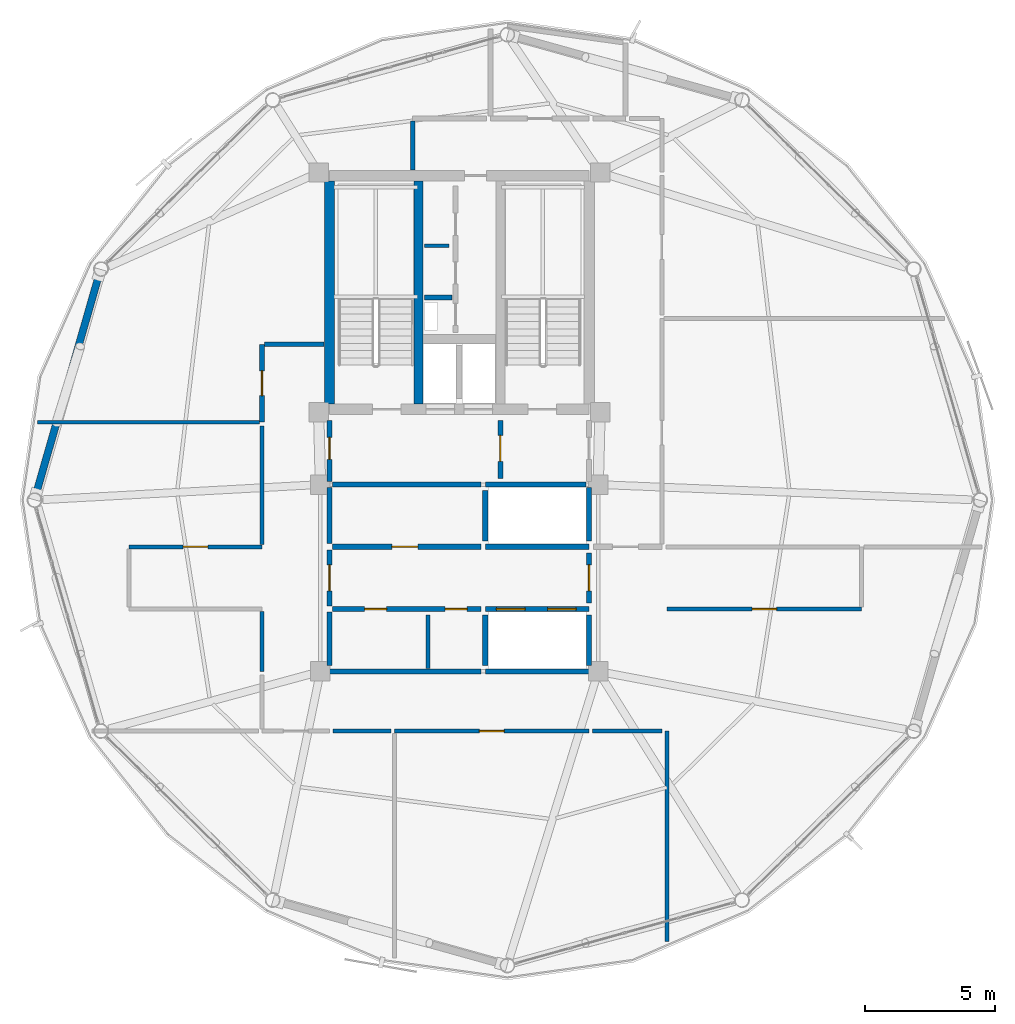
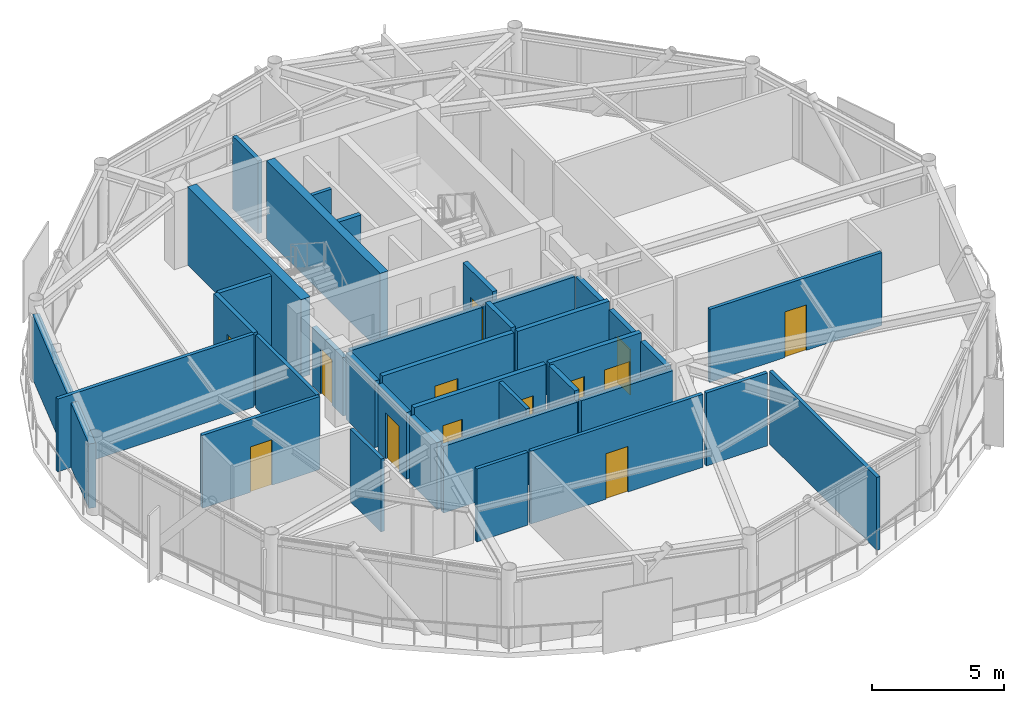
# One storey, part 21 of 27: 36 walls, 13 doors, 13 openings.
"""IFC4 building model written with IfcOpenShell, lengths in metres."""

from ifc_helpers import new_model, si_unit, direction, frame, frame_2d, origin, place, context, subcontext, project, spatial, rectangle, extrude, material, layer, layer_set, type_object, element, fill, save


model = new_model("IFC4")

# Units and contexts
model_context = context("Model", 3, precision=1e-05, world=origin(), true_north=direction((0.0, 1.0)))
body_context = subcontext(model_context, "Body", "Model", "MODEL_VIEW")
ifc_project = project(units=[si_unit("LENGTHUNIT", "METRE"), si_unit("AREAUNIT", "SQUARE_METRE"), si_unit("VOLUMEUNIT", "CUBIC_METRE"), si_unit("PLANEANGLEUNIT", "RADIAN"), si_unit("MASSUNIT", "GRAM", prefix="KILO")], contexts=[model_context])

# Site, building, storey
site_placement = place(None, origin())
site = spatial("IfcSite", under=ifc_project, at=site_placement, CompositionType="ELEMENT")
building_placement = place(site_placement, origin())
building = spatial("IfcBuilding", under=site, at=building_placement, Name="Varnakorn Sky Granary", CompositionType="ELEMENT")
storey_placement = place(building_placement, frame((0.0, 0.0, 263.39990234375)))
storey = spatial("IfcBuildingStorey", under=building, at=storey_placement, Name="L67", CompositionType="ELEMENT", Elevation=263.39990234375)

# Walls
ifc_material_1 = material(Name="Concrete C50/60", Category="concrete")
ifc_layer_1 = layer(ifc_material_1, 0.35009765625, Name="Concrete C50/60")
ifc_layer_set_1 = layer_set([ifc_layer_1], Name="Concrete C50/60")
wall_type_1 = type_object("IfcWallType", Name="WT-CW-INT-350", PredefinedType="SHEAR", material=ifc_layer_set_1)
wall_1_placement = place(storey_placement, frame((1.419921875, 3.7099609375, 0.0), z_axis=(0.0, 0.0, 1.0), x_axis=(0.0, 1.0, 0.0)))
element("IfcWall", 1, at=wall_1_placement, inside=storey, type_object=wall_type_1, Name="Stair ST-1 Core Wall L67", PredefinedType="SHEAR", context=body_context, shape_type="SweptSolid", body=[
    extrude(rectangle(XDim=8.580078125, YDim=0.35009765625, at=frame_2d((4.2900390625, 0.0))), origin(), (0.0, 0.0, 1.0), 3.592041015625),
])
ifc_layer_2 = layer(ifc_material_1, 0.39990234375, Name="Concrete C50/60")
ifc_layer_set_2 = layer_set([ifc_layer_2], Name="Concrete C50/60")
wall_type_2 = type_object("IfcWallType", Name="WT-CW-SHEAR-400", PredefinedType="SHEAR", material=ifc_layer_set_2)
wall_2_placement = place(storey_placement, frame((-2.0, 3.7099609375, 0.0), z_axis=(0.0, 0.0, 1.0), x_axis=(0.0, 1.0, 0.0)))
element("IfcWall", 2, at=wall_2_placement, inside=storey, type_object=wall_type_2, Name="Core West Shear Wall L67", PredefinedType="SHEAR", context=body_context, shape_type="SweptSolid", body=[
    extrude(rectangle(XDim=8.580078125, YDim=0.39990234375, at=frame_2d((4.2900390625, 0.0))), origin(), (0.0, 0.0, 1.0), 3.592041015625),
])
ifc_material_2 = material(Name="Precast concrete C40/50", Category="concrete")
ifc_layer_3 = layer(ifc_material_2, 0.280029296875, Name="Precast concrete C40/50")
ifc_layer_set_3 = layer_set([ifc_layer_3], Name="Precast concrete C40/50")
wall_type_3 = type_object("IfcWallType", Name="WT-EW-CRN-280", PredefinedType="SOLIDWALL", material=ifc_layer_set_3)
wall_3_placement = place(storey_placement, frame((-13.30908203125, 0.225341796875, 0.0), z_axis=(0.0, 0.0, 1.0), x_axis=(0.276231763513, 0.961091053348, 0.0)))
element("IfcWall", 3, at=wall_3_placement, inside=storey, type_object=wall_type_3, Name="Agritech Insulated Precast Facade Wall L67-P06", PredefinedType="SOLIDWALL", context=body_context, shape_type="SweptSolid", body=[
    extrude(rectangle(XDim=8.792236328125, YDim=0.280029296875, at=frame_2d((4.39599609375, 0.0))), origin(), (0.0, 0.0, 1.0), 2.97021484375),
])

# Wall, opening, door
ifc_material_3 = material(Name="Autoclaved Aerated Concrete Blockwork", Category="masonry")
ifc_layer_4 = layer(ifc_material_3, 0.199951171875, Name="Autoclaved Aerated Concrete Blockwork")
ifc_layer_set_4 = layer_set([ifc_layer_4], Name="Autoclaved Aerated Concrete Blockwork")
wall_type_4 = type_object("IfcWallType", Name="WT-FIRE-200", PredefinedType="MOVABLE", material=ifc_layer_set_4)
wall_4_placement = place(storey_placement, frame((4.580078125, 0.830078125, 0.0), z_axis=(0.0, 0.0, 1.0), x_axis=(0.0, 1.0, 0.0)))
wall_4 = element("IfcWall", 4, at=wall_4_placement, inside=storey, type_object=wall_type_4, Name="Interior Partition Wall L67-012", PredefinedType="MOVABLE", context=body_context, shape_type="SweptSolid", body=[
    extrude(rectangle(XDim=2.239990234375, YDim=0.199951171875, at=frame_2d((1.1201171875, 0.0))), origin(), (0.0, 0.0, 1.0), 3.360107421875),
])
opening_1_placement = place(wall_4_placement, frame((0.659912109375, 0.0, 0.0)))
opening_1 = element("IfcOpeningElement", 5, at=opening_1_placement, cuts=wall_4, Name="Opening FD-60", PredefinedType="OPENING", context=body_context, shape_type="SweptSolid", body=[
    extrude(rectangle(XDim=1.0, YDim=2.10009765625, at=frame_2d((0.5, 1.050048828125))), frame((0.0, 0.10986328125, 0.0), z_axis=(0.0, -1.0, 0.0), x_axis=(1.0, 0.0, 0.0)), (0.0, 0.0, 1.0), 0.219970703125),
])
ifc_material_4 = material(Name="Acoustic Timber Fire Leaf", Category="wood")
door_type_1 = type_object("IfcDoorType", Name="DR-FD60-1000", OperationType="NOTDEFINED", PredefinedType="DOOR", material=ifc_material_4)
door_1_placement = place(opening_1_placement, origin())
door_1 = element("IfcDoor", 6, at=door_1_placement, inside=storey, type_object=door_type_1, Name="Interior Door L67-012-1", OperationType="SINGLE_SWING_LEFT", OverallHeight=2.10009765625, OverallWidth=1.0, PredefinedType="DOOR", context=body_context, shape_type="SweptSolid", body=[
    extrude(rectangle(XDim=1.0, YDim=2.10009765625, at=frame_2d((0.5, 1.050048828125))), frame((0.0, 0.02490234375, 0.0), z_axis=(0.0, -1.0, 0.0), x_axis=(1.0, 0.0, 0.0)), (0.0, 0.0, 1.0), 0.050048828125),
])
fill(opening_1, door_1)

wall_5_placement = place(storey_placement, frame((-2.0, 0.719970703125, 0.0), z_axis=(0.0, 0.0, 1.0), x_axis=(0.0, 1.0, 0.0)))
wall_5 = element("IfcWall", 7, at=wall_5_placement, inside=storey, type_object=wall_type_4, Name="Interior Partition Wall L67-013", PredefinedType="MOVABLE", context=body_context, shape_type="SweptSolid", body=[
    extrude(rectangle(XDim=2.35009765625, YDim=0.199951171875, at=frame_2d((1.175048828125, 0.0))), origin(), (0.0, 0.0, 1.0), 2.692138671875),
])
opening_2_placement = place(wall_5_placement, frame((0.844970703125, 0.0, 0.0)))
opening_2 = element("IfcOpeningElement", 8, at=opening_2_placement, cuts=wall_5, Name="Opening FD-60N", PredefinedType="OPENING", context=body_context, shape_type="SweptSolid", body=[
    extrude(rectangle(XDim=0.85009765625, YDim=2.10009765625, at=frame_2d((0.425048828125, 1.050048828125))), frame((0.0, 0.10986328125, 0.0), z_axis=(0.0, -1.0, 0.0), x_axis=(1.0, 0.0, 0.0)), (0.0, 0.0, 1.0), 0.219970703125),
])
door_type_2 = type_object("IfcDoorType", Name="DR-FD60-850", OperationType="NOTDEFINED", PredefinedType="DOOR", material=ifc_material_4)
door_2_placement = place(opening_2_placement, origin())
door_2 = element("IfcDoor", 9, at=door_2_placement, inside=storey, type_object=door_type_2, Name="Interior Door L67-013-1", OperationType="SINGLE_SWING_RIGHT", OverallHeight=2.10009765625, OverallWidth=0.85009765625, PredefinedType="DOOR", context=body_context, shape_type="SweptSolid", body=[
    extrude(rectangle(XDim=0.85009765625, YDim=2.10009765625, at=frame_2d((0.425048828125, 1.050048828125))), frame((0.0, 0.02490234375, 0.0), z_axis=(0.0, -1.0, 0.0), x_axis=(1.0, 0.0, 0.0)), (0.0, 0.0, 1.0), 0.050048828125),
])
fill(opening_2, door_2)

wall_6_placement = place(storey_placement, frame((-2.0, -4.080078125, 0.0), z_axis=(0.0, 0.0, 1.0), x_axis=(0.0, 1.0, 0.0)))
wall_6 = element("IfcWall", 10, at=wall_6_placement, inside=storey, type_object=wall_type_4, Name="Interior Partition Wall L67-015", PredefinedType="MOVABLE", context=body_context, shape_type="SweptSolid", body=[
    extrude(rectangle(XDim=2.16015625, YDim=0.199951171875, at=frame_2d((1.080078125, 0.0))), origin(), (0.0, 0.0, 1.0), 3.072021484375),
])
opening_3_placement = place(wall_6_placement, frame((0.580078125, 0.0, 0.0)))
opening_3 = element("IfcOpeningElement", 11, at=opening_3_placement, cuts=wall_6, Name="Opening FD-60", PredefinedType="OPENING", context=body_context, shape_type="SweptSolid", body=[
    extrude(rectangle(XDim=1.0, YDim=2.10009765625, at=frame_2d((0.5, 1.050048828125))), frame((0.0, 0.10986328125, 0.0), z_axis=(0.0, -1.0, 0.0), x_axis=(1.0, 0.0, 0.0)), (0.0, 0.0, 1.0), 0.219970703125),
])
door_3_placement = place(opening_3_placement, origin())
door_3 = element("IfcDoor", 12, at=door_3_placement, inside=storey, type_object=door_type_1, Name="Interior Door L67-015-1", OperationType="SINGLE_SWING_RIGHT", OverallHeight=2.10009765625, OverallWidth=1.0, PredefinedType="DOOR", context=body_context, shape_type="SweptSolid", body=[
    extrude(rectangle(XDim=1.0, YDim=2.10009765625, at=frame_2d((0.5, 1.050048828125))), frame((0.0, 0.02490234375, 0.0), z_axis=(0.0, -1.0, 0.0), x_axis=(1.0, 0.0, 0.0)), (0.0, 0.0, 1.0), 0.050048828125),
])
fill(opening_3, door_3)

wall_7_placement = place(storey_placement, frame((8.0, -3.969970703125, 0.0), z_axis=(0.0, 0.0, 1.0), x_axis=(0.0, 1.0, 0.0)))
wall_7 = element("IfcWall", 13, at=wall_7_placement, inside=storey, type_object=wall_type_4, Name="Interior Partition Wall L67-016", PredefinedType="MOVABLE", context=body_context, shape_type="SweptSolid", body=[
    extrude(rectangle(XDim=1.93994140625, YDim=0.199951171875, at=frame_2d((0.969970703125, 0.0))), origin(), (0.0, 0.0, 1.0), 3.072021484375),
])
opening_4_placement = place(wall_7_placement, frame((0.469970703125, 0.0, 0.0)))
opening_4 = element("IfcOpeningElement", 14, at=opening_4_placement, cuts=wall_7, Name="Opening FD-60", PredefinedType="OPENING", context=body_context, shape_type="SweptSolid", body=[
    extrude(rectangle(XDim=1.0, YDim=2.10009765625, at=frame_2d((0.5, 1.050048828125))), frame((0.0, 0.10986328125, 0.0), z_axis=(0.0, -1.0, 0.0), x_axis=(1.0, 0.0, 0.0)), (0.0, 0.0, 1.0), 0.219970703125),
])
door_4_placement = place(opening_4_placement, origin())
door_4 = element("IfcDoor", 15, at=door_4_placement, inside=storey, type_object=door_type_1, Name="Interior Door L67-016-1", OperationType="SINGLE_SWING_LEFT", OverallHeight=2.10009765625, OverallWidth=1.0, PredefinedType="DOOR", context=body_context, shape_type="SweptSolid", body=[
    extrude(rectangle(XDim=1.0, YDim=2.10009765625, at=frame_2d((0.5, 1.050048828125))), frame((0.0, 0.02490234375, 0.0), z_axis=(0.0, -1.0, 0.0), x_axis=(1.0, 0.0, 0.0)), (0.0, 0.0, 1.0), 0.050048828125),
])
fill(opening_4, door_4)

wall_8_placement = place(storey_placement, frame((-1.889892578125, -1.800048828125, 0.0), z_axis=(0.0, 0.0, 1.0), x_axis=(1.0, 0.0, 0.0)))
wall_8 = element("IfcWall", 16, at=wall_8_placement, inside=storey, type_object=wall_type_4, Name="Interior Partition Wall L67-017", PredefinedType="MOVABLE", context=body_context, shape_type="SweptSolid", body=[
    extrude(rectangle(XDim=5.72998046875, YDim=0.199951171875, at=frame_2d((2.864990234375, 0.0))), origin(), (0.0, 0.0, 1.0), 3.360107421875),
])
opening_5_placement = place(wall_8_placement, frame((2.2900390625, 0.0, 0.0)))
opening_5 = element("IfcOpeningElement", 17, at=opening_5_placement, cuts=wall_8, Name="Opening FD-60", PredefinedType="OPENING", context=body_context, shape_type="SweptSolid", body=[
    extrude(rectangle(XDim=1.0, YDim=2.10009765625, at=frame_2d((0.5, 1.050048828125))), frame((0.0, 0.10986328125, 0.0), z_axis=(0.0, -1.0, 0.0), x_axis=(1.0, 0.0, 0.0)), (0.0, 0.0, 1.0), 0.219970703125),
])
door_5_placement = place(opening_5_placement, origin())
door_5 = element("IfcDoor", 18, at=door_5_placement, inside=storey, type_object=door_type_1, Name="Interior Door L67-017-1", OperationType="SINGLE_SWING_RIGHT", OverallHeight=2.10009765625, OverallWidth=1.0, PredefinedType="DOOR", context=body_context, shape_type="SweptSolid", body=[
    extrude(rectangle(XDim=1.0, YDim=2.10009765625, at=frame_2d((0.5, 1.050048828125))), frame((0.0, 0.02490234375, 0.0), z_axis=(0.0, -1.0, 0.0), x_axis=(1.0, 0.0, 0.0)), (0.0, 0.0, 1.0), 0.050048828125),
])
fill(opening_5, door_5)

# Wall, openings, doors
wall_9_placement = place(storey_placement, frame((-1.889892578125, -4.199951171875, 0.0), z_axis=(0.0, 0.0, 1.0), x_axis=(1.0, 0.0, 0.0)))
wall_9 = element("IfcWall", 19, at=wall_9_placement, inside=storey, type_object=wall_type_4, Name="Interior Partition Wall L67-018", PredefinedType="MOVABLE", context=body_context, shape_type="SweptSolid", body=[
    extrude(rectangle(XDim=5.72998046875, YDim=0.199951171875, at=frame_2d((2.864990234375, 0.0))), origin(), (0.0, 0.0, 1.0), 3.360107421875),
])
opening_6_placement = place(wall_9_placement, frame((1.239990234375, 0.0, 0.0)))
opening_6 = element("IfcOpeningElement", 20, at=opening_6_placement, cuts=wall_9, Name="Opening FD-60N", PredefinedType="OPENING", context=body_context, shape_type="SweptSolid", body=[
    extrude(rectangle(XDim=0.85009765625, YDim=2.10009765625, at=frame_2d((0.425048828125, 1.050048828125))), frame((0.0, 0.10986328125, 0.0), z_axis=(0.0, -1.0, 0.0), x_axis=(1.0, 0.0, 0.0)), (0.0, 0.0, 1.0), 0.219970703125),
])
opening_7_placement = place(wall_9_placement, frame((4.340087890625, 0.0, 0.0)))
opening_7 = element("IfcOpeningElement", 21, at=opening_7_placement, cuts=wall_9, Name="Opening FD-60N", PredefinedType="OPENING", context=body_context, shape_type="SweptSolid", body=[
    extrude(rectangle(XDim=0.85009765625, YDim=2.10009765625, at=frame_2d((0.425048828125, 1.050048828125))), frame((0.0, 0.10986328125, 0.0), z_axis=(0.0, -1.0, 0.0), x_axis=(1.0, 0.0, 0.0)), (0.0, 0.0, 1.0), 0.219970703125),
])
door_6_placement = place(opening_6_placement, origin())
door_6 = element("IfcDoor", 22, at=door_6_placement, inside=storey, type_object=door_type_2, Name="Interior Door L67-018-1", OperationType="SINGLE_SWING_LEFT", OverallHeight=2.10009765625, OverallWidth=0.85009765625, PredefinedType="DOOR", context=body_context, shape_type="SweptSolid", body=[
    extrude(rectangle(XDim=0.85009765625, YDim=2.10009765625, at=frame_2d((0.425048828125, 1.050048828125))), frame((0.0, 0.02490234375, 0.0), z_axis=(0.0, -1.0, 0.0), x_axis=(1.0, 0.0, 0.0)), (0.0, 0.0, 1.0), 0.050048828125),
])
fill(opening_6, door_6)
door_7_placement = place(opening_7_placement, origin())
door_7 = element("IfcDoor", 23, at=door_7_placement, inside=storey, type_object=door_type_2, Name="Interior Door L67-018-2", OperationType="SINGLE_SWING_RIGHT", OverallHeight=2.10009765625, OverallWidth=0.85009765625, PredefinedType="DOOR", context=body_context, shape_type="SweptSolid", body=[
    extrude(rectangle(XDim=0.85009765625, YDim=2.10009765625, at=frame_2d((0.425048828125, 1.050048828125))), frame((0.0, 0.02490234375, 0.0), z_axis=(0.0, -1.0, 0.0), x_axis=(1.0, 0.0, 0.0)), (0.0, 0.0, 1.0), 0.050048828125),
])
fill(opening_7, door_7)

# Walls
wall_10_placement = place(storey_placement, frame((-1.8798828125, 0.60009765625, 0.0), z_axis=(0.0, 0.0, 1.0), x_axis=(1.0, 0.0, 0.0)))
element("IfcWall", 24, at=wall_10_placement, inside=storey, type_object=wall_type_4, Name="Interior Partition Wall L67-029", PredefinedType="MOVABLE", context=body_context, shape_type="SweptSolid", body=[
    extrude(rectangle(XDim=5.719970703125, YDim=0.199951171875, at=frame_2d((2.85986328125, 0.0))), origin(), (0.0, 0.0, 1.0), 3.072021484375),
])
wall_11_placement = place(storey_placement, frame((-2.0, -1.679931640625, 0.0), z_axis=(0.0, 0.0, 1.0), x_axis=(0.0, 1.0, 0.0)))
element("IfcWall", 25, at=wall_11_placement, inside=storey, type_object=wall_type_4, Name="Interior Partition Wall L67-030", PredefinedType="MOVABLE", context=body_context, shape_type="SweptSolid", body=[
    extrude(rectangle(XDim=2.159912109375, YDim=0.199951171875, at=frame_2d((1.080078125, 0.0))), origin(), (0.0, 0.0, 1.0), 3.072021484375),
])
wall_12_placement = place(storey_placement, frame((-2.0, -6.60009765625, 0.0), z_axis=(0.0, 0.0, 1.0), x_axis=(1.0, 0.0, 0.0)))
element("IfcWall", 26, at=wall_12_placement, inside=storey, type_object=wall_type_4, Name="Interior Partition Wall L67-032", PredefinedType="MOVABLE", context=body_context, shape_type="SweptSolid", body=[
    extrude(rectangle(XDim=5.840087890625, YDim=0.199951171875, at=frame_2d((2.919921875, 0.0))), origin(), (0.0, 0.0, 1.0), 3.072021484375),
])
wall_13_placement = place(storey_placement, frame((-2.0, -6.3701171875, 0.0), z_axis=(0.0, 0.0, 1.0), x_axis=(0.0, 1.0, 0.0)))
element("IfcWall", 27, at=wall_13_placement, inside=storey, type_object=wall_type_4, Name="Interior Partition Wall L67-033", PredefinedType="MOVABLE", context=body_context, shape_type="SweptSolid", body=[
    extrude(rectangle(XDim=2.050048828125, YDim=0.199951171875, at=frame_2d((1.02490234375, 0.0))), origin(), (0.0, 0.0, 1.0), 3.072021484375),
])

# Wall, opening, door
ifc_material_5 = material(Name="Gypsum Plasterboard on Steel Stud", Category="steel")
ifc_layer_5 = layer(ifc_material_5, 0.14990234375, Name="Gypsum Plasterboard on Steel Stud")
ifc_layer_set_5 = layer_set([ifc_layer_5], Name="Gypsum Plasterboard on Steel Stud")
wall_type_5 = type_object("IfcWallType", Name="WT-PART-150", PredefinedType="PARTITIONING", material=ifc_layer_set_5)
wall_14_placement = place(storey_placement, frame((0.5, -8.89990234375, 0.0), z_axis=(0.0, 0.0, 1.0), x_axis=(1.0, 0.0, 0.0)))
wall_14 = element("IfcWall", 28, at=wall_14_placement, inside=storey, type_object=wall_type_5, Name="Interior Partition Wall L67-022", PredefinedType="PARTITIONING", context=body_context, shape_type="SweptSolid", body=[
    extrude(rectangle(XDim=7.5, YDim=0.14990234375, at=frame_2d((3.75, 0.0))), origin(), (0.0, 0.0, 1.0), 3.360107421875),
])
opening_8_placement = place(wall_14_placement, frame((3.27490234375, 0.0, 0.0)))
opening_8 = element("IfcOpeningElement", 29, at=opening_8_placement, cuts=wall_14, Name="Opening ID-95", PredefinedType="OPENING", context=body_context, shape_type="SweptSolid", body=[
    extrude(rectangle(XDim=0.949951171875, YDim=2.10009765625, at=frame_2d((0.47509765625, 1.050048828125))), frame((0.0, 0.0849609375, 0.0), z_axis=(0.0, -1.0, 0.0), x_axis=(1.0, 0.0, 0.0)), (0.0, 0.0, 1.0), 0.169921875),
])
ifc_material_6 = material(Name="Solid-Core Teak Veneer Leaf", Category="timber")
door_type_3 = type_object("IfcDoorType", Name="DR-INT-950", OperationType="NOTDEFINED", PredefinedType="DOOR", material=ifc_material_6)
door_8_placement = place(opening_8_placement, origin())
door_8 = element("IfcDoor", 30, at=door_8_placement, inside=storey, type_object=door_type_3, Name="Interior Door L67-022-1", OperationType="SINGLE_SWING_RIGHT", OverallHeight=2.10009765625, OverallWidth=0.949951171875, PredefinedType="DOOR", context=body_context, shape_type="SweptSolid", body=[
    extrude(rectangle(XDim=0.949951171875, YDim=2.10009765625, at=frame_2d((0.47509765625, 1.050048828125))), frame((0.0, 0.02490234375, 0.0), z_axis=(0.0, -1.0, 0.0), x_axis=(1.0, 0.0, 0.0)), (0.0, 0.0, 1.0), 0.050048828125),
])
fill(opening_8, door_8)

wall_15_placement = place(storey_placement, frame((11.0, -4.199951171875, 0.0), z_axis=(0.0, 0.0, 1.0), x_axis=(1.0, 0.0, 0.0)))
wall_15 = element("IfcWall", 31, at=wall_15_placement, inside=storey, type_object=wall_type_5, Name="Interior Partition Wall L67-023", PredefinedType="PARTITIONING", context=body_context, shape_type="SweptSolid", body=[
    extrude(rectangle(XDim=7.5, YDim=0.14990234375, at=frame_2d((3.75, 0.0))), origin(), (0.0, 0.0, 1.0), 3.360107421875),
])
opening_9_placement = place(wall_15_placement, frame((3.27490234375, 0.0, 0.0)))
opening_9 = element("IfcOpeningElement", 32, at=opening_9_placement, cuts=wall_15, Name="Opening ID-95", PredefinedType="OPENING", context=body_context, shape_type="SweptSolid", body=[
    extrude(rectangle(XDim=0.949951171875, YDim=2.10009765625, at=frame_2d((0.47509765625, 1.050048828125))), frame((0.0, 0.0849609375, 0.0), z_axis=(0.0, -1.0, 0.0), x_axis=(1.0, 0.0, 0.0)), (0.0, 0.0, 1.0), 0.169921875),
])
door_9_placement = place(opening_9_placement, origin())
door_9 = element("IfcDoor", 33, at=door_9_placement, inside=storey, type_object=door_type_3, Name="Interior Door L67-023-1", OperationType="SINGLE_SWING_LEFT", OverallHeight=2.10009765625, OverallWidth=0.949951171875, PredefinedType="DOOR", context=body_context, shape_type="SweptSolid", body=[
    extrude(rectangle(XDim=0.949951171875, YDim=2.10009765625, at=frame_2d((0.47509765625, 1.050048828125))), frame((0.0, 0.02490234375, 0.0), z_axis=(0.0, -1.0, 0.0), x_axis=(1.0, 0.0, 0.0)), (0.0, 0.0, 1.0), 0.050048828125),
])
fill(opening_9, door_9)

wall_16_placement = place(storey_placement, frame((-4.60009765625, -1.800048828125, 0.0), z_axis=(0.0, 0.0, 1.0), x_axis=(-1.0, 0.0, 0.0)))
wall_16 = element("IfcWall", 34, at=wall_16_placement, inside=storey, type_object=wall_type_5, Name="Interior Partition Wall L67-024", PredefinedType="PARTITIONING", context=body_context, shape_type="SweptSolid", body=[
    extrude(rectangle(XDim=5.1240234375, YDim=0.14990234375, at=frame_2d((2.56201171875, 0.0))), origin(), (0.0, 0.0, 1.0), 3.360107421875),
])
opening_10_placement = place(wall_16_placement, frame((2.0869140625, 0.0, 0.0)))
opening_10 = element("IfcOpeningElement", 35, at=opening_10_placement, cuts=wall_16, Name="Opening ID-95", PredefinedType="OPENING", context=body_context, shape_type="SweptSolid", body=[
    extrude(rectangle(XDim=0.949951171875, YDim=2.10009765625, at=frame_2d((0.47509765625, 1.050048828125))), frame((0.0, 0.0849609375, 0.0), z_axis=(0.0, -1.0, 0.0), x_axis=(1.0, 0.0, 0.0)), (0.0, 0.0, 1.0), 0.169921875),
])
door_10_placement = place(opening_10_placement, origin())
door_10 = element("IfcDoor", 36, at=door_10_placement, inside=storey, type_object=door_type_3, Name="Interior Door L67-024-1", OperationType="SINGLE_SWING_RIGHT", OverallHeight=2.10009765625, OverallWidth=0.949951171875, PredefinedType="DOOR", context=body_context, shape_type="SweptSolid", body=[
    extrude(rectangle(XDim=0.949951171875, YDim=2.10009765625, at=frame_2d((0.47509765625, 1.050048828125))), frame((0.0, 0.02490234375, 0.0), z_axis=(0.0, -1.0, 0.0), x_axis=(1.0, 0.0, 0.0)), (0.0, 0.0, 1.0), 0.050048828125),
])
fill(opening_10, door_10)

# Walls
wall_17_placement = place(storey_placement, frame((1.64990234375, 9.800048828125, 0.0), z_axis=(0.0, 0.0, 1.0), x_axis=(1.0, 0.0, 0.0)))
element("IfcWall", 37, at=wall_17_placement, inside=storey, type_object=wall_type_5, Name="Interior Partition Wall L67-028", PredefinedType="PARTITIONING", context=body_context, shape_type="SweptSolid", body=[
    extrude(rectangle(XDim=0.960205078125, YDim=0.14990234375, at=frame_2d((0.47998046875, 0.0))), origin(), (0.0, 0.0, 1.0), 3.360107421875),
])
wall_18_placement = place(storey_placement, frame((1.800048828125, -6.47998046875, 0.0), z_axis=(0.0, 0.0, 1.0), x_axis=(0.0, 1.0, 0.0)))
element("IfcWall", 38, at=wall_18_placement, inside=storey, type_object=wall_type_5, Name="Interior Partition Wall L67-031", PredefinedType="PARTITIONING", context=body_context, shape_type="SweptSolid", body=[
    extrude(rectangle(XDim=2.050048828125, YDim=0.14990234375, at=frame_2d((1.02490234375, 0.0))), origin(), (0.0, 0.0, 1.0), 3.360107421875),
])
wall_19_placement = place(storey_placement, frame((-1.864990234375, -8.89990234375, 0.0), z_axis=(0.0, 0.0, 1.0), x_axis=(1.0, 0.0, 0.0)))
element("IfcWall", 39, at=wall_19_placement, inside=storey, type_object=wall_type_5, Name="Interior Partition Wall L67-035", PredefinedType="PARTITIONING", context=body_context, shape_type="SweptSolid", body=[
    extrude(rectangle(XDim=2.22998046875, YDim=0.14990234375, at=frame_2d((1.114990234375, 0.0))), origin(), (0.0, 0.0, 1.0), 3.360107421875),
])
wall_20_placement = place(storey_placement, frame((8.135009765625, -8.89990234375, 0.0), z_axis=(0.0, 0.0, 1.0), x_axis=(1.0, 0.0, 0.0)))
element("IfcWall", 40, at=wall_20_placement, inside=storey, type_object=wall_type_5, Name="Interior Partition Wall L67-038", PredefinedType="PARTITIONING", context=body_context, shape_type="SweptSolid", body=[
    extrude(rectangle(XDim=2.6650390625, YDim=0.14990234375, at=frame_2d((1.33251953125, 0.0))), origin(), (0.0, 0.0, 1.0), 3.360107421875),
])
wall_21_placement = place(storey_placement, frame((11.0, -8.89990234375, 0.0), z_axis=(0.0, 0.0, 1.0), x_axis=(0.0, -1.0, 0.0)))
element("IfcWall", 41, at=wall_21_placement, inside=storey, type_object=wall_type_5, Name="Interior Partition Wall L67-039", PredefinedType="PARTITIONING", context=body_context, shape_type="SweptSolid", body=[
    extrude(rectangle(XDim=8.09619140625, YDim=0.14990234375, at=frame_2d((4.048095703125, 0.0))), origin(), (0.0, 0.0, 1.0), 3.360107421875),
])
wall_22_placement = place(storey_placement, frame((-4.60009765625, 2.85009765625, 0.0), z_axis=(0.0, 0.0, 1.0), x_axis=(0.0, -1.0, 0.0)))
element("IfcWall", 42, at=wall_22_placement, inside=storey, type_object=wall_type_5, Name="Interior Partition Wall L67-043", PredefinedType="PARTITIONING", context=body_context, shape_type="SweptSolid", body=[
    extrude(rectangle(XDim=4.565185546875, YDim=0.14990234375, at=frame_2d((2.28271484375, 0.0))), origin(), (0.0, 0.0, 1.0), 3.360107421875),
])
wall_23_placement = place(storey_placement, frame((-4.60009765625, -4.284912109375, 0.0), z_axis=(0.0, 0.0, 1.0), x_axis=(0.0, -1.0, 0.0)))
element("IfcWall", 43, at=wall_23_placement, inside=storey, type_object=wall_type_5, Name="Interior Partition Wall L67-045", PredefinedType="PARTITIONING", context=body_context, shape_type="SweptSolid", body=[
    extrude(rectangle(XDim=2.315185546875, YDim=0.14990234375, at=frame_2d((1.15771484375, 0.0))), origin(), (0.0, 0.0, 1.0), 3.360107421875),
])
wall_24_placement = place(storey_placement, frame((-13.25390625, 3.0, 0.0), z_axis=(0.0, 0.0, 1.0), x_axis=(1.0, 0.0, 0.0)))
element("IfcWall", 44, at=wall_24_placement, inside=storey, type_object=wall_type_5, Name="Interior Partition Wall L67-047", PredefinedType="PARTITIONING", context=body_context, shape_type="SweptSolid", body=[
    extrude(rectangle(XDim=8.553955078125, YDim=0.14990234375, at=frame_2d((4.27685546875, 0.0))), origin(), (0.0, 0.0, 1.0), 3.360107421875),
])

# Wall, opening, door
ifc_material_7 = material(Name="Moisture-Resistant Gypsum on Stud", Category="gypsum")
ifc_layer_6 = layer(ifc_material_7, 0.179931640625, Name="Moisture-Resistant Gypsum on Stud")
ifc_layer_set_6 = layer_set([ifc_layer_6], Name="Moisture-Resistant Gypsum on Stud")
wall_type_6 = type_object("IfcWallType", Name="WT-PLUMB-180", PredefinedType="PLUMBINGWALL", material=ifc_layer_set_6)
wall_25_placement = place(storey_placement, frame((-4.60009765625, 6.0, 0.0), z_axis=(0.0, 0.0, 1.0), x_axis=(0.0, -1.0, 0.0)))
wall_25 = element("IfcWall", 45, at=wall_25_placement, inside=storey, type_object=wall_type_6, Name="Interior Partition Wall L67-025", PredefinedType="PLUMBINGWALL", context=body_context, shape_type="SweptSolid", body=[
    extrude(rectangle(XDim=3.0, YDim=0.179931640625, at=frame_2d((1.5, 0.0))), origin(), (0.0, 0.0, 1.0), 3.360107421875),
])
opening_11_placement = place(wall_25_placement, frame((1.02490234375, 0.0, 0.0)))
opening_11 = element("IfcOpeningElement", 46, at=opening_11_placement, cuts=wall_25, Name="Opening ID-95", PredefinedType="OPENING", context=body_context, shape_type="SweptSolid", body=[
    extrude(rectangle(XDim=0.949951171875, YDim=2.10009765625, at=frame_2d((0.47509765625, 1.050048828125))), frame((0.0, 0.10009765625, 0.0), z_axis=(0.0, -1.0, 0.0), x_axis=(1.0, 0.0, 0.0)), (0.0, 0.0, 1.0), 0.199951171875),
])
door_11_placement = place(opening_11_placement, origin())
door_11 = element("IfcDoor", 47, at=door_11_placement, inside=storey, type_object=door_type_3, Name="Interior Door L67-025-1", OperationType="SINGLE_SWING_LEFT", OverallHeight=2.10009765625, OverallWidth=0.949951171875, PredefinedType="DOOR", context=body_context, shape_type="SweptSolid", body=[
    extrude(rectangle(XDim=0.949951171875, YDim=2.10009765625, at=frame_2d((0.47509765625, 1.050048828125))), frame((0.0, 0.02490234375, 0.0), z_axis=(0.0, -1.0, 0.0), x_axis=(1.0, 0.0, 0.0)), (0.0, 0.0, 1.0), 0.050048828125),
])
fill(opening_11, door_11)

# Walls
wall_26_placement = place(storey_placement, frame((-2.2099609375, 6.0, 0.0), z_axis=(0.0, 0.0, 1.0), x_axis=(-1.0, 0.0, 0.0)))
element("IfcWall", 48, at=wall_26_placement, inside=storey, type_object=wall_type_6, Name="Interior Partition Wall L67-048", PredefinedType="PLUMBINGWALL", context=body_context, shape_type="SweptSolid", body=[
    extrude(rectangle(XDim=2.2900390625, YDim=0.179931640625, at=frame_2d((1.14501953125, 0.0))), origin(), (0.0, 0.0, 1.0), 3.360107421875),
])
wall_27_placement = place(storey_placement, frame((1.199951171875, 14.60009765625, 0.0), z_axis=(0.0, 0.0, 1.0), x_axis=(0.0, -1.0, 0.0)))
element("IfcWall", 49, at=wall_27_placement, inside=storey, type_object=wall_type_6, Name="Interior Partition Wall L67-050", PredefinedType="PLUMBINGWALL", context=body_context, shape_type="SweptSolid", body=[
    extrude(rectangle(XDim=1.89013671875, YDim=0.179931640625, at=frame_2d((0.945068359375, 0.0))), origin(), (0.0, 0.0, 1.0), 3.360107421875),
])
ifc_layer_7 = layer(ifc_material_3, 0.199951171875, Name="Autoclaved Aerated Concrete Blockwork")
ifc_layer_set_7 = layer_set([ifc_layer_7], Name="Autoclaved Aerated Concrete Blockwork")
wall_type_7 = type_object("IfcWallType", Name="WT-SHAFT-200", PredefinedType="SOLIDWALL", material=ifc_layer_set_7)
wall_28_placement = place(storey_placement, frame((1.64990234375, 7.800048828125, 0.0), z_axis=(0.0, 0.0, 1.0), x_axis=(1.0, 0.0, 0.0)))
element("IfcWall", 50, at=wall_28_placement, inside=storey, type_object=wall_type_7, Name="Interior Partition Wall L67-002", PredefinedType="SOLIDWALL", context=body_context, shape_type="SweptSolid", body=[
    extrude(rectangle(XDim=1.070068359375, YDim=0.199951171875, at=frame_2d((0.53515625, 0.0))), origin(), (0.0, 0.0, 1.0), 3.360107421875),
])
wall_29_placement = place(storey_placement, frame((4.0, 0.60009765625, 0.0), z_axis=(0.0, 0.0, 1.0), x_axis=(1.0, 0.0, 0.0)))
element("IfcWall", 51, at=wall_29_placement, inside=storey, type_object=wall_type_7, Name="Interior Partition Wall L67-003", PredefinedType="SOLIDWALL", context=body_context, shape_type="SweptSolid", body=[
    extrude(rectangle(XDim=3.8798828125, YDim=0.199951171875, at=frame_2d((1.93994140625, 0.0))), origin(), (0.0, 0.0, 1.0), 3.072021484375),
])
wall_30_placement = place(storey_placement, frame((4.0, -1.800048828125, 0.0), z_axis=(0.0, 0.0, 1.0), x_axis=(1.0, 0.0, 0.0)))
element("IfcWall", 52, at=wall_30_placement, inside=storey, type_object=wall_type_7, Name="Interior Partition Wall L67-004", PredefinedType="SOLIDWALL", context=body_context, shape_type="SweptSolid", body=[
    extrude(rectangle(XDim=4.0, YDim=0.199951171875, at=frame_2d((2.0, 0.0))), origin(), (0.0, 0.0, 1.0), 3.360107421875),
])
wall_31_placement = place(storey_placement, frame((4.0, -1.570068359375, 0.0), z_axis=(0.0, 0.0, 1.0), x_axis=(0.0, 1.0, 0.0)))
element("IfcWall", 53, at=wall_31_placement, inside=storey, type_object=wall_type_7, Name="Interior Partition Wall L67-005", PredefinedType="SOLIDWALL", context=body_context, shape_type="SweptSolid", body=[
    extrude(rectangle(XDim=1.940185546875, YDim=0.199951171875, at=frame_2d((0.97021484375, 0.0))), origin(), (0.0, 0.0, 1.0), 3.360107421875),
])
wall_32_placement = place(storey_placement, frame((8.0, -1.570068359375, 0.0), z_axis=(0.0, 0.0, 1.0), x_axis=(0.0, 1.0, 0.0)))
element("IfcWall", 54, at=wall_32_placement, inside=storey, type_object=wall_type_7, Name="Interior Partition Wall L67-006", PredefinedType="SOLIDWALL", context=body_context, shape_type="SweptSolid", body=[
    extrude(rectangle(XDim=2.050048828125, YDim=0.199951171875, at=frame_2d((1.02490234375, 0.0))), origin(), (0.0, 0.0, 1.0), 3.072021484375),
])

# Wall, openings, doors
wall_33_placement = place(storey_placement, frame((4.0, -4.199951171875, 0.0), z_axis=(0.0, 0.0, 1.0), x_axis=(1.0, 0.0, 0.0)))
wall_33 = element("IfcWall", 55, at=wall_33_placement, inside=storey, type_object=wall_type_7, Name="Interior Partition Wall L67-007", PredefinedType="SOLIDWALL", context=body_context, shape_type="SweptSolid", body=[
    extrude(rectangle(XDim=4.0, YDim=0.199951171875, at=frame_2d((2.0, 0.0))), origin(), (0.0, 0.0, 1.0), 3.360107421875),
])
opening_12_placement = place(wall_33_placement, frame((0.429931640625, 0.0, 0.0)))
opening_12 = element("IfcOpeningElement", 56, at=opening_12_placement, cuts=wall_33, Name="Opening LD-01", PredefinedType="OPENING", context=body_context, shape_type="SweptSolid", body=[
    extrude(rectangle(XDim=1.10009765625, YDim=2.199951171875, at=frame_2d((0.550048828125, 1.10009765625))), frame((0.0, 0.10986328125, 0.0), z_axis=(0.0, -1.0, 0.0), x_axis=(1.0, 0.0, 0.0)), (0.0, 0.0, 1.0), 0.219970703125),
])
opening_13_placement = place(wall_33_placement, frame((2.39990234375, 0.0, 0.0)))
opening_13 = element("IfcOpeningElement", 57, at=opening_13_placement, cuts=wall_33, Name="Opening LD-01", PredefinedType="OPENING", context=body_context, shape_type="SweptSolid", body=[
    extrude(rectangle(XDim=1.10009765625, YDim=2.199951171875, at=frame_2d((0.550048828125, 1.10009765625))), frame((0.0, 0.10986328125, 0.0), z_axis=(0.0, -1.0, 0.0), x_axis=(1.0, 0.0, 0.0)), (0.0, 0.0, 1.0), 0.219970703125),
])
ifc_material_8 = material(Name="Brushed Bronze Stainless Steel", Category="steel")
door_type_4 = type_object("IfcDoorType", Name="DR-LD-1100", OperationType="DOUBLE_DOOR_SLIDING", PredefinedType="DOOR", material=ifc_material_8)
door_12_placement = place(opening_12_placement, origin())
door_12 = element("IfcDoor", 58, at=door_12_placement, inside=storey, type_object=door_type_4, Name="Passenger Lift PL-H1 Sliding Landing Door L67", OperationType="DOUBLE_DOOR_SLIDING", OverallHeight=2.199951171875, OverallWidth=1.10009765625, PredefinedType="DOOR", context=body_context, shape_type="SweptSolid", body=[
    extrude(rectangle(XDim=1.10009765625, YDim=2.199951171875, at=frame_2d((0.550048828125, 1.10009765625))), frame((0.0, 0.02490234375, 0.0), z_axis=(0.0, -1.0, 0.0), x_axis=(1.0, 0.0, 0.0)), (0.0, 0.0, 1.0), 0.050048828125),
])
fill(opening_12, door_12)
door_13_placement = place(opening_13_placement, origin())
door_13 = element("IfcDoor", 59, at=door_13_placement, inside=storey, type_object=door_type_4, Name="Passenger Lift PL-H2 Sliding Landing Door L67", OperationType="DOUBLE_DOOR_SLIDING", OverallHeight=2.199951171875, OverallWidth=1.10009765625, PredefinedType="DOOR", context=body_context, shape_type="SweptSolid", body=[
    extrude(rectangle(XDim=1.10009765625, YDim=2.199951171875, at=frame_2d((0.550048828125, 1.10009765625))), frame((0.0, 0.02490234375, 0.0), z_axis=(0.0, -1.0, 0.0), x_axis=(1.0, 0.0, 0.0)), (0.0, 0.0, 1.0), 0.050048828125),
])
fill(opening_13, door_13)

# Walls
wall_34_placement = place(storey_placement, frame((4.0, -6.60009765625, 0.0), z_axis=(0.0, 0.0, 1.0), x_axis=(1.0, 0.0, 0.0)))
element("IfcWall", 60, at=wall_34_placement, inside=storey, type_object=wall_type_7, Name="Interior Partition Wall L67-008", PredefinedType="SOLIDWALL", context=body_context, shape_type="SweptSolid", body=[
    extrude(rectangle(XDim=4.0, YDim=0.199951171875, at=frame_2d((2.0, 0.0))), origin(), (0.0, 0.0, 1.0), 3.072021484375),
])
wall_35_placement = place(storey_placement, frame((4.0, -6.3701171875, 0.0), z_axis=(0.0, 0.0, 1.0), x_axis=(0.0, 1.0, 0.0)))
element("IfcWall", 61, at=wall_35_placement, inside=storey, type_object=wall_type_7, Name="Interior Partition Wall L67-009", PredefinedType="SOLIDWALL", context=body_context, shape_type="SweptSolid", body=[
    extrude(rectangle(XDim=1.940185546875, YDim=0.199951171875, at=frame_2d((0.97021484375, 0.0))), origin(), (0.0, 0.0, 1.0), 3.360107421875),
])
wall_36_placement = place(storey_placement, frame((8.0, -6.3701171875, 0.0), z_axis=(0.0, 0.0, 1.0), x_axis=(0.0, 1.0, 0.0)))
element("IfcWall", 62, at=wall_36_placement, inside=storey, type_object=wall_type_7, Name="Interior Partition Wall L67-010", PredefinedType="SOLIDWALL", context=body_context, shape_type="SweptSolid", body=[
    extrude(rectangle(XDim=1.940185546875, YDim=0.199951171875, at=frame_2d((0.97021484375, 0.0))), origin(), (0.0, 0.0, 1.0), 3.072021484375),
])

save(model, "model.ifc")
